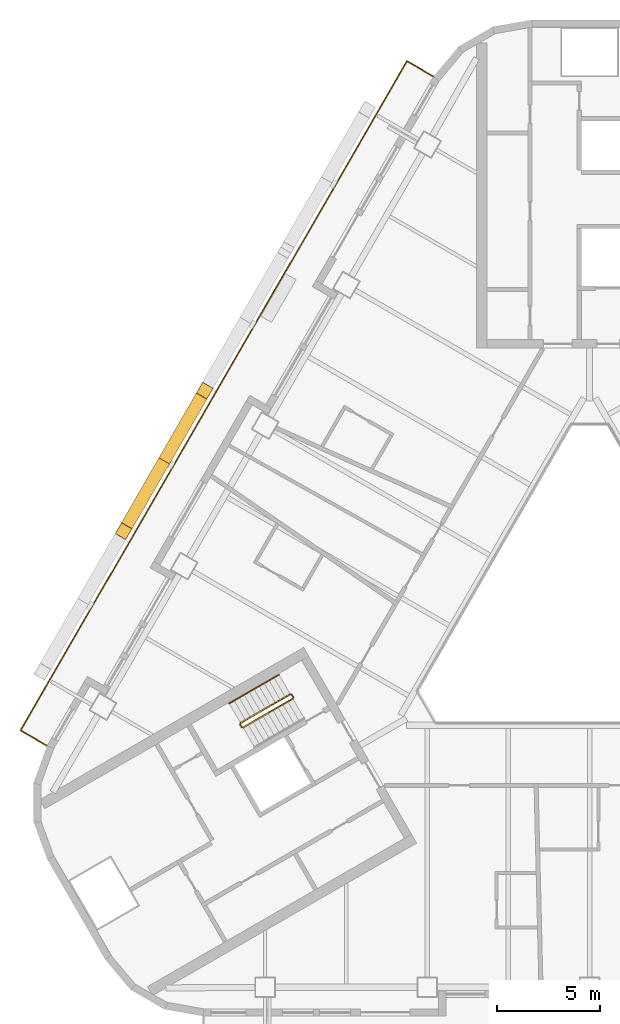
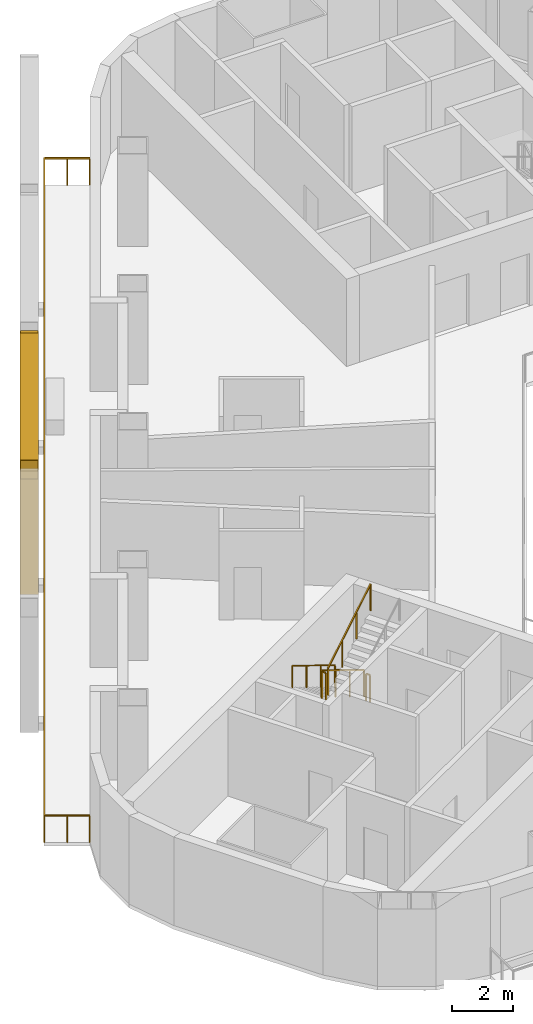
# One storey, part 9 of 13: 6 railings, 2 shading devices.
"""IFC4 building model written with IfcOpenShell, lengths in metres."""

from ifc_helpers import new_model, si_unit, direction, frame, origin, origin_2d, place, context, subcontext, project, spatial, rectangle, hollow_rectangle, circle, extrude, material, material_profile, profile_set, type_object, element, save


model = new_model("IFC4")

# Units and contexts
model_context = context("Model", 3, precision=1e-05, world=origin(), true_north=direction((0.0, 1.0)))
body_context = subcontext(model_context, "Body", "Model", "MODEL_VIEW")
ifc_project = project(units=[si_unit("LENGTHUNIT", "METRE"), si_unit("AREAUNIT", "SQUARE_METRE"), si_unit("VOLUMEUNIT", "CUBIC_METRE"), si_unit("PLANEANGLEUNIT", "RADIAN"), si_unit("MASSUNIT", "GRAM", prefix="KILO")], contexts=[model_context])

# Site, building, storey
site_placement = place(None, origin())
site = spatial("IfcSite", under=ifc_project, at=site_placement, CompositionType="ELEMENT")
building_placement = place(site_placement, origin())
building = spatial("IfcBuilding", under=site, at=building_placement, Name="Apuvela Tower Hotel", CompositionType="ELEMENT")
storey_placement = place(building_placement, frame((0.0, 0.0, 83.5)))
storey = spatial("IfcBuildingStorey", under=building, at=storey_placement, Name="L18", CompositionType="ELEMENT", Elevation=83.5)

# Railings
ifc_material_1 = material(Name="Steel S275 balustrade", Category="steel")
railing_type_1 = type_object("IfcRailingType", Name="COR-GUARD-1100", PredefinedType="GUARDRAIL", material=ifc_material_1)
railing_1_placement = place(storey_placement, frame((-14.569091796875, -3.9658203125, 0.168212890625)))
element("IfcRailing", 1, at=railing_1_placement, inside=storey, type_object=railing_type_1, Name="L18 ST2 stair guard 1", PredefinedType="GUARDRAIL", context=body_context, shape_type="SweptSolid", body=[
    extrude(rectangle(XDim=0.048095703125, YDim=0.048095703125, at=origin_2d()), frame((0.0, 0.0, 1.076171875), z_axis=(-0.742390482028, -0.42860119049, 0.514934356695), x_axis=(0.49998411664, -0.866034573852, 0.0)), (0.0, 0.0, 1.0), 3.26611328125),
    extrude(rectangle(XDim=0.0419921875, YDim=0.0419921875, at=origin_2d()), origin(), (0.0, 0.0, 1.0), 1.052001953125),
    extrude(rectangle(XDim=0.0419921875, YDim=0.0419921875, at=origin_2d()), frame((-0.808349609375, -0.466552734375, 0.560546875)), (0.0, 0.0, 1.0), 1.052001953125),
    extrude(rectangle(XDim=0.0419921875, YDim=0.0419921875, at=origin_2d()), frame((-1.616455078125, -0.933349609375, 1.121337890625)), (0.0, 0.0, 1.0), 1.052001953125),
    extrude(rectangle(XDim=0.0419921875, YDim=0.0419921875, at=origin_2d()), frame((-2.4248046875, -1.39990234375, 1.681884765625)), (0.0, 0.0, 1.0), 1.052001953125),
])
railing_2_placement = place(storey_placement, frame((-17.01220703125, -5.43408203125, 1.85009765625)))
element("IfcRailing", 2, at=railing_2_placement, inside=storey, type_object=railing_type_1, Name="L18 ST2 stair guard 2", PredefinedType="GUARDRAIL", context=body_context, shape_type="SweptSolid", body=[
    extrude(rectangle(XDim=0.048095703125, YDim=0.048095703125, at=origin_2d()), frame((0.0, 0.0, 1.076171875), z_axis=(0.499816412211, -0.866131372301, 0.0), x_axis=(0.866131372301, 0.499816412211, 0.0)), (0.0, 0.0, 1.0), 0.14990234375),
    extrude(rectangle(XDim=0.0419921875, YDim=0.0419921875, at=origin_2d()), origin(), (0.0, 0.0, 1.0), 1.052001953125),
    extrude(rectangle(XDim=0.0419921875, YDim=0.0419921875, at=origin_2d()), frame((0.074951171875, -0.1298828125, 0.0)), (0.0, 0.0, 1.0), 1.052001953125),
])
railing_3_placement = place(storey_placement, frame((-16.868896484375, -5.582275390625, 2.01806640625)))
element("IfcRailing", 3, at=railing_3_placement, inside=storey, type_object=railing_type_1, Name="L18 ST2 stair guard 3", PredefinedType="GUARDRAIL", context=body_context, shape_type="SweptSolid", body=[
    extrude(rectangle(XDim=0.048095703125, YDim=0.048095703125, at=origin_2d()), frame((0.0, 0.0, 1.076171875), z_axis=(0.742390482028, 0.42860119049, 0.514934356695), x_axis=(-0.49998411664, 0.866034573852, 0.0)), (0.0, 0.0, 1.0), 3.26611328125),
    extrude(rectangle(XDim=0.0419921875, YDim=0.0419921875, at=origin_2d()), origin(), (0.0, 0.0, 1.0), 1.052001953125),
    extrude(rectangle(XDim=0.0419921875, YDim=0.0419921875, at=origin_2d()), frame((0.808349609375, 0.466552734375, 0.560546875)), (0.0, 0.0, 1.0), 1.052001953125),
    extrude(rectangle(XDim=0.0419921875, YDim=0.0419921875, at=origin_2d()), frame((1.616455078125, 0.933349609375, 1.121337890625)), (0.0, 0.0, 1.0), 1.052001953125),
    extrude(rectangle(XDim=0.0419921875, YDim=0.0419921875, at=origin_2d()), frame((2.4248046875, 1.39990234375, 1.681884765625)), (0.0, 0.0, 1.0), 1.052001953125),
])
railing_4_placement = place(storey_placement, frame((-14.500732421875, -3.984130859375, 0.0)))
element("IfcRailing", 4, at=railing_4_placement, inside=storey, type_object=railing_type_1, Name="L18 ST2 stair guard 4", PredefinedType="GUARDRAIL", context=body_context, shape_type="SweptSolid", body=[
    extrude(rectangle(XDim=0.048095703125, YDim=0.048095703125, at=origin_2d()), frame((0.0, 0.0, 1.076171875), z_axis=(0.499816412211, -0.866131372301, 0.0), x_axis=(0.866131372301, 0.499816412211, 0.0)), (0.0, 0.0, 1.0), 0.14990234375),
    extrude(rectangle(XDim=0.0419921875, YDim=0.0419921875, at=origin_2d()), origin(), (0.0, 0.0, 1.0), 1.052001953125),
    extrude(rectangle(XDim=0.0419921875, YDim=0.0419921875, at=origin_2d()), frame((0.074951171875, -0.1298828125, 0.0)), (0.0, 0.0, 1.0), 1.052001953125),
])
ifc_material_2 = material(Name="Stainless steel 316 handrail", Category="steel")
railing_type_2 = type_object("IfcRailingType", Name="COR-HANDRAIL-900", PredefinedType="HANDRAIL", material=ifc_material_2)
railing_5_placement = place(storey_placement, frame((-15.118896484375, -3.01318359375, 0.168212890625)))
element("IfcRailing", 5, at=railing_5_placement, inside=storey, type_object=railing_type_2, Name="L18 ST2 stair handrail 1", PredefinedType="HANDRAIL", context=body_context, shape_type="SweptSolid", body=[
    extrude(circle(Radius=0.02392578125, at=origin_2d()), frame((0.0, 0.0, 0.8759765625), z_axis=(-0.742424030051, -0.428577407461, 0.514905783049), x_axis=(0.49994636267, -0.866056369097, 0.0)), (0.0, 0.0, 1.0), 3.266357421875),
    extrude(rectangle(XDim=0.0419921875, YDim=0.0419921875, at=origin_2d()), origin(), (0.0, 0.0, 1.0), 0.851806640625),
    extrude(rectangle(XDim=0.0419921875, YDim=0.0419921875, at=origin_2d()), frame((-0.808349609375, -0.466552734375, 0.560546875)), (0.0, 0.0, 1.0), 0.851806640625),
    extrude(rectangle(XDim=0.0419921875, YDim=0.0419921875, at=origin_2d()), frame((-1.61669921875, -0.933349609375, 1.121337890625)), (0.0, 0.0, 1.0), 0.851806640625),
    extrude(rectangle(XDim=0.0419921875, YDim=0.0419921875, at=origin_2d()), frame((-2.425048828125, -1.39990234375, 1.681884765625)), (0.0, 0.0, 1.0), 0.851806640625),
])

# Shading devices
ifc_material_3 = material(Name="Aluminium 6063-T6, black anodised", Category="aluminium")
ifc_material_profile = material_profile(ifc_material_3, hollow_rectangle(XDim=0.60009765625, YDim=0.699951171875, WallThickness=0.011962890625, at=origin_2d()), Name="AL BOX 700x600x12")
ifc_profile_set = profile_set([ifc_material_profile], Name="Aluminium 6063-T6, black anodised")
shading_device_type = type_object("IfcShadingDeviceType", Name="ENV-FIN-700x600", PredefinedType="USERDEFINED", material=ifc_profile_set)
shading_device_1_placement = place(storey_placement, frame((-20.70703125, 7.394287109375, -0.10009765625), z_axis=(0.235430342887, 0.407790151341, 0.882201647084), x_axis=(-0.866032218625, 0.499988196164, 0.0)))
element("IfcShadingDevice", 6, at=shading_device_1_placement, inside=storey, type_object=shading_device_type, Name="Lattice fin NW141", ObjectType="FIN", PredefinedType="USERDEFINED", context=body_context, shape_type="SweptSolid", body=[
    extrude(hollow_rectangle(XDim=0.60009765625, YDim=0.699951171875, WallThickness=0.011962890625, at=origin_2d()), origin(), (0.0, 0.0, 1.0), 8.38818359375),
])
shading_device_2_placement = place(storey_placement, frame((-20.70703125, 7.394287109375, -0.10009765625), z_axis=(-0.235455039791, -0.407811621453, 0.882185131163), x_axis=(0.866020906874, -0.500007788796, 0.0)))
element("IfcShadingDevice", 7, at=shading_device_2_placement, inside=storey, type_object=shading_device_type, Name="Lattice fin NW142", ObjectType="FIN", PredefinedType="USERDEFINED", context=body_context, shape_type="SweptSolid", body=[
    extrude(hollow_rectangle(XDim=0.60009765625, YDim=0.699951171875, WallThickness=0.011962890625, at=origin_2d()), origin(), (0.0, 0.0, 1.0), 8.388427734375),
])

# Railing
ifc_material_4 = material(Name="Stainless steel 316 rail with laminated glass infill", Category="steel")
railing_type_3 = type_object("IfcRailingType", Name="ENV-GUARD-1100", PredefinedType="GUARDRAIL", material=ifc_material_4)
railing_6_placement = place(storey_placement, frame((-7.59228515625, 26.110107421875, 0.0)))
element("IfcRailing", 8, at=railing_6_placement, inside=storey, type_object=railing_type_3, Name="Balcony guard NW L18", PredefinedType="GUARDRAIL", context=body_context, shape_type="SweptSolid", body=[
    extrude(rectangle(XDim=0.050048828125, YDim=0.050048828125, at=origin_2d()), frame((0.0, 0.0, 1.0751953125), z_axis=(-0.86599040064, 0.500060622324, 0.0), x_axis=(-0.500060622324, -0.86599040064, 0.0)), (0.0, 0.0, 1.0), 1.499755859375),
    extrude(rectangle(XDim=0.050048828125, YDim=0.050048828125, at=origin_2d()), frame((-1.298828125, 0.75, 1.0751953125), z_axis=(-0.500000437506, -0.86602515119, 0.0), x_axis=(0.86602515119, -0.500000437506, 0.0)), (0.0, 0.0, 1.0), 37.6318359375),
    extrude(rectangle(XDim=0.050048828125, YDim=0.050048828125, at=origin_2d()), frame((-20.11474609375, -31.840087890625, 1.0751953125), z_axis=(0.866031096941, -0.499990139034, 0.0), x_axis=(0.499990139034, 0.866031096941, 0.0)), (0.0, 0.0, 1.0), 1.5),
    extrude(rectangle(XDim=0.0400390625, YDim=0.0400390625, at=origin_2d()), origin(), (0.0, 0.0, 1.0), 1.050048828125),
    extrude(rectangle(XDim=0.0400390625, YDim=0.0400390625, at=origin_2d()), frame((-0.6494140625, 0.375, 0.0)), (0.0, 0.0, 1.0), 1.050048828125),
    extrude(rectangle(XDim=0.0400390625, YDim=0.0400390625, at=origin_2d()), frame((-1.298828125, 0.75, 0.0)), (0.0, 0.0, 1.0), 1.050048828125),
    extrude(rectangle(XDim=0.0400390625, YDim=0.0400390625, at=origin_2d()), frame((-1.88671875, -0.2685546875, 0.0)), (0.0, 0.0, 1.0), 1.050048828125),
    extrude(rectangle(XDim=0.0400390625, YDim=0.0400390625, at=origin_2d()), frame((-2.474853515625, -1.286865234375, 0.0)), (0.0, 0.0, 1.0), 1.050048828125),
    extrude(rectangle(XDim=0.0400390625, YDim=0.0400390625, at=origin_2d()), frame((-3.062744140625, -2.305419921875, 0.0)), (0.0, 0.0, 1.0), 1.050048828125),
    extrude(rectangle(XDim=0.0400390625, YDim=0.0400390625, at=origin_2d()), frame((-3.65087890625, -3.32373046875, 0.0)), (0.0, 0.0, 1.0), 1.050048828125),
    extrude(rectangle(XDim=0.0400390625, YDim=0.0400390625, at=origin_2d()), frame((-4.23876953125, -4.34228515625, 0.0)), (0.0, 0.0, 1.0), 1.050048828125),
    extrude(rectangle(XDim=0.0400390625, YDim=0.0400390625, at=origin_2d()), frame((-4.826904296875, -5.360595703125, 0.0)), (0.0, 0.0, 1.0), 1.050048828125),
    extrude(rectangle(XDim=0.0400390625, YDim=0.0400390625, at=origin_2d()), frame((-5.414794921875, -6.379150390625, 0.0)), (0.0, 0.0, 1.0), 1.050048828125),
    extrude(rectangle(XDim=0.0400390625, YDim=0.0400390625, at=origin_2d()), frame((-6.0029296875, -7.3974609375, 0.0)), (0.0, 0.0, 1.0), 1.050048828125),
    extrude(rectangle(XDim=0.0400390625, YDim=0.0400390625, at=origin_2d()), frame((-6.5908203125, -8.416015625, 0.0)), (0.0, 0.0, 1.0), 1.050048828125),
    extrude(rectangle(XDim=0.0400390625, YDim=0.0400390625, at=origin_2d()), frame((-7.1787109375, -9.434326171875, 0.0)), (0.0, 0.0, 1.0), 1.050048828125),
    extrude(rectangle(XDim=0.0400390625, YDim=0.0400390625, at=origin_2d()), frame((-7.766845703125, -10.452880859375, 0.0)), (0.0, 0.0, 1.0), 1.050048828125),
    extrude(rectangle(XDim=0.0400390625, YDim=0.0400390625, at=origin_2d()), frame((-8.354736328125, -11.47119140625, 0.0)), (0.0, 0.0, 1.0), 1.050048828125),
    extrude(rectangle(XDim=0.0400390625, YDim=0.0400390625, at=origin_2d()), frame((-8.94287109375, -12.48974609375, 0.0)), (0.0, 0.0, 1.0), 1.050048828125),
    extrude(rectangle(XDim=0.0400390625, YDim=0.0400390625, at=origin_2d()), frame((-9.53076171875, -13.508056640625, 0.0)), (0.0, 0.0, 1.0), 1.050048828125),
    extrude(rectangle(XDim=0.0400390625, YDim=0.0400390625, at=origin_2d()), frame((-10.118896484375, -14.526611328125, 0.0)), (0.0, 0.0, 1.0), 1.050048828125),
    extrude(rectangle(XDim=0.0400390625, YDim=0.0400390625, at=origin_2d()), frame((-10.706787109375, -15.544921875, 0.0)), (0.0, 0.0, 1.0), 1.050048828125),
    extrude(rectangle(XDim=0.0400390625, YDim=0.0400390625, at=origin_2d()), frame((-11.294677734375, -16.5634765625, 0.0)), (0.0, 0.0, 1.0), 1.050048828125),
    extrude(rectangle(XDim=0.0400390625, YDim=0.0400390625, at=origin_2d()), frame((-11.8828125, -17.58203125, 0.0)), (0.0, 0.0, 1.0), 1.050048828125),
    extrude(rectangle(XDim=0.0400390625, YDim=0.0400390625, at=origin_2d()), frame((-12.470703125, -18.600341796875, 0.0)), (0.0, 0.0, 1.0), 1.050048828125),
    extrude(rectangle(XDim=0.0400390625, YDim=0.0400390625, at=origin_2d()), frame((-13.058837890625, -19.618896484375, 0.0)), (0.0, 0.0, 1.0), 1.050048828125),
    extrude(rectangle(XDim=0.0400390625, YDim=0.0400390625, at=origin_2d()), frame((-13.646728515625, -20.63720703125, 0.0)), (0.0, 0.0, 1.0), 1.050048828125),
    extrude(rectangle(XDim=0.0400390625, YDim=0.0400390625, at=origin_2d()), frame((-14.23486328125, -21.65576171875, 0.0)), (0.0, 0.0, 1.0), 1.050048828125),
    extrude(rectangle(XDim=0.0400390625, YDim=0.0400390625, at=origin_2d()), frame((-14.82275390625, -22.674072265625, 0.0)), (0.0, 0.0, 1.0), 1.050048828125),
    extrude(rectangle(XDim=0.0400390625, YDim=0.0400390625, at=origin_2d()), frame((-15.41064453125, -23.692626953125, 0.0)), (0.0, 0.0, 1.0), 1.050048828125),
    extrude(rectangle(XDim=0.0400390625, YDim=0.0400390625, at=origin_2d()), frame((-15.998779296875, -24.7109375, 0.0)), (0.0, 0.0, 1.0), 1.050048828125),
    extrude(rectangle(XDim=0.0400390625, YDim=0.0400390625, at=origin_2d()), frame((-16.586669921875, -25.7294921875, 0.0)), (0.0, 0.0, 1.0), 1.050048828125),
    extrude(rectangle(XDim=0.0400390625, YDim=0.0400390625, at=origin_2d()), frame((-17.1748046875, -26.747802734375, 0.0)), (0.0, 0.0, 1.0), 1.050048828125),
    extrude(rectangle(XDim=0.0400390625, YDim=0.0400390625, at=origin_2d()), frame((-17.7626953125, -27.766357421875, 0.0)), (0.0, 0.0, 1.0), 1.050048828125),
    extrude(rectangle(XDim=0.0400390625, YDim=0.0400390625, at=origin_2d()), frame((-18.350830078125, -28.78466796875, 0.0)), (0.0, 0.0, 1.0), 1.050048828125),
    extrude(rectangle(XDim=0.0400390625, YDim=0.0400390625, at=origin_2d()), frame((-18.938720703125, -29.80322265625, 0.0)), (0.0, 0.0, 1.0), 1.050048828125),
    extrude(rectangle(XDim=0.0400390625, YDim=0.0400390625, at=origin_2d()), frame((-19.52685546875, -30.821533203125, 0.0)), (0.0, 0.0, 1.0), 1.050048828125),
    extrude(rectangle(XDim=0.0400390625, YDim=0.0400390625, at=origin_2d()), frame((-20.11474609375, -31.840087890625, 0.0)), (0.0, 0.0, 1.0), 1.050048828125),
    extrude(rectangle(XDim=0.0400390625, YDim=0.0400390625, at=origin_2d()), frame((-19.46533203125, -32.215087890625, 0.0)), (0.0, 0.0, 1.0), 1.050048828125),
    extrude(rectangle(XDim=0.0400390625, YDim=0.0400390625, at=origin_2d()), frame((-18.815673828125, -32.590087890625, 0.0)), (0.0, 0.0, 1.0), 1.050048828125),
])

save(model, "model.ifc")
